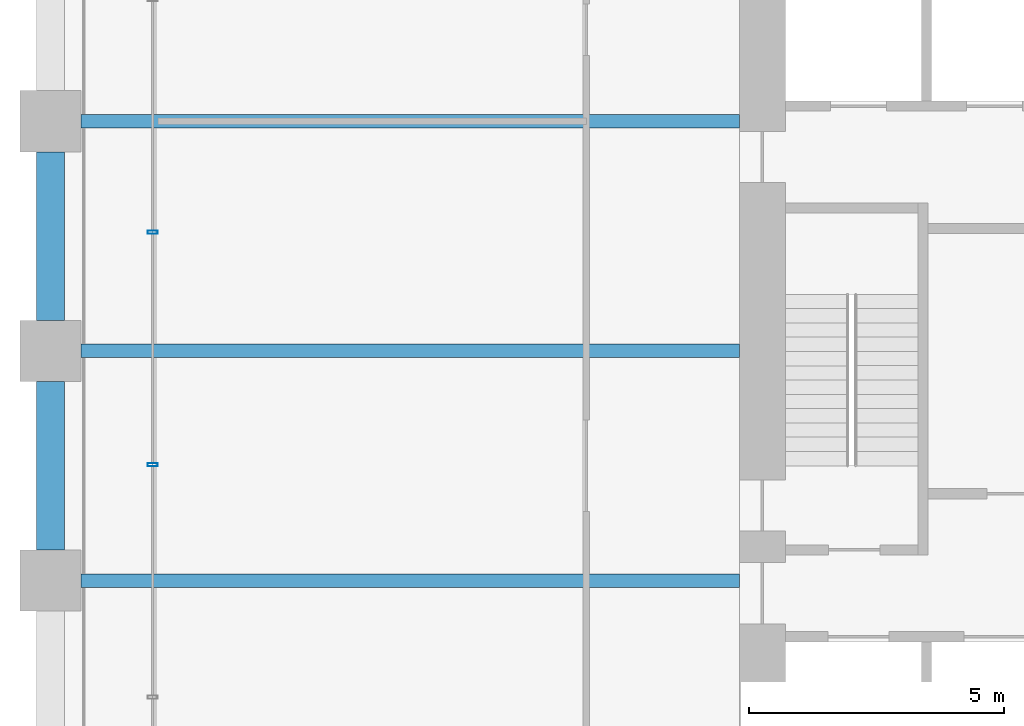
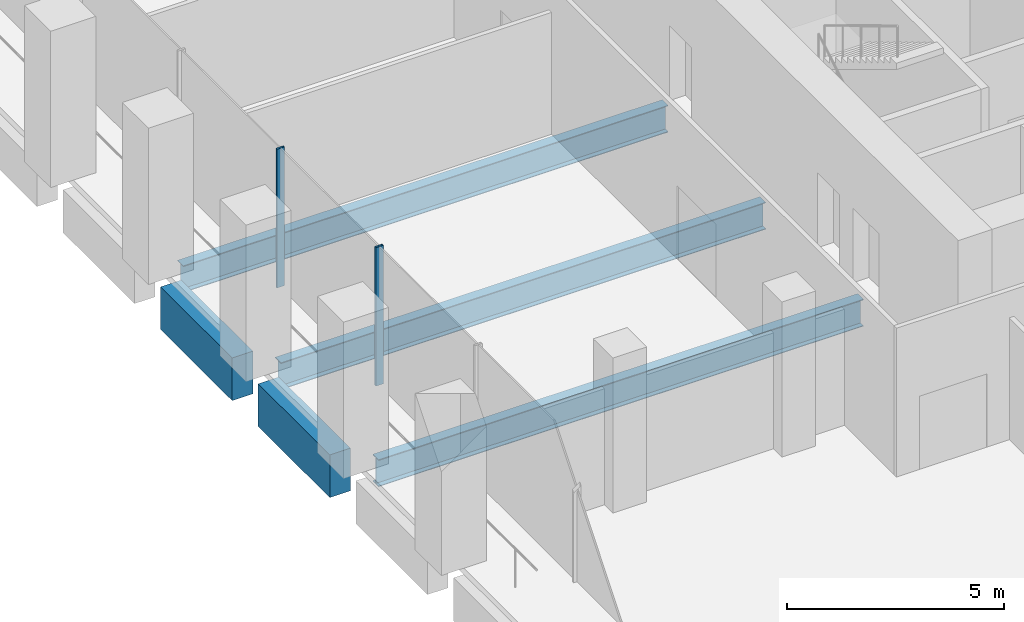
# One storey, part 7 of 36: 5 beams, 2 members, 1 element without a shape of its own.
"""IFC4 building model written with IfcOpenShell, lengths in metres."""

from ifc_helpers import new_model, si_unit, direction, frame, origin, origin_2d, place, context, subcontext, project, spatial, rectangle, hollow_rectangle, i_section, extrude, material, material_profile, profile_set, type_object, element, aggregate, save


model = new_model("IFC4")

# Units and contexts
model_context = context("Model", 3, precision=1e-05, world=origin(), true_north=direction((0.0, 1.0)))
body_context = subcontext(model_context, "Body", "Model", "MODEL_VIEW")
ifc_project = project(units=[si_unit("LENGTHUNIT", "METRE"), si_unit("AREAUNIT", "SQUARE_METRE"), si_unit("VOLUMEUNIT", "CUBIC_METRE"), si_unit("PLANEANGLEUNIT", "RADIAN"), si_unit("MASSUNIT", "GRAM", prefix="KILO")], contexts=[model_context])

# Site, building, storey
site_placement = place(None, origin())
site = spatial("IfcSite", under=ifc_project, at=site_placement, CompositionType="ELEMENT")
building_placement = place(site_placement, origin())
building = spatial("IfcBuilding", under=site, at=building_placement, Name="Altepetl Exchange Towers", CompositionType="ELEMENT")
storey_placement = place(building_placement, frame((0.0, 0.0, 29.800048828125)))
storey = spatial("IfcBuildingStorey", under=building, at=storey_placement, Name="L06", CompositionType="ELEMENT", Elevation=29.800048828125)

# Beams
ifc_material_1 = material(Name="Steel S355", Category="steel")
ifc_material_profile_1 = material_profile(ifc_material_1, i_section(OverallWidth=0.26611328125, OverallDepth=0.758056640625, WebThickness=0.013916015625, FlangeThickness=0.019287109375, at=origin_2d()), Name="W30X108")
ifc_profile_set_1 = profile_set([ifc_material_profile_1], Name="Steel S355")
beam_type_1 = type_object("IfcBeamType", Name="Floor beam W30X108", PredefinedType="BEAM", material=ifc_profile_set_1)
for number, where, z_axis, x_axis, name in (
    (1, (27.60009765625, 45.0, -0.553955078125), (1.0, 0.0, 0.0), (0.0, 1.0, 0.0), "bm:A:L06:018"),
    (2, (27.60009765625, 49.5, -0.553955078125), (1.0, 0.0, 0.0), (0.0, 1.0, 0.0), "bm:A:L06:019"),
    (3, (27.60009765625, 54.0, -0.553955078125), (1.0, 0.0, 0.0), (0.0, 1.0, 0.0), "bm:A:L06:020"),
):
    element("IfcBeam", number, at=place(storey_placement, frame(where, z_axis=z_axis, x_axis=x_axis)), inside=storey, type_object=beam_type_1, Name=name, PredefinedType="BEAM", context=body_context, shape_type="SweptSolid", body=[
        extrude(i_section(OverallWidth=0.26611328125, OverallDepth=0.758056640625, WebThickness=0.013916015625, FlangeThickness=0.019287109375, at=origin_2d()), origin(), (0.0, 0.0, 1.0), 12.89990234375),
    ])

# Curtain wall, members
ifc_material_2 = material(Name="Aluminium 6063-T6 glazing", Category="aluminium")
curtain_wall_type = type_object("IfcCurtainWallType", Name="Trading floor glazing system", PredefinedType="NOTDEFINED", material=ifc_material_2)
curtain_wall_placement = place(storey_placement, origin())
curtain_wall = element("IfcCurtainWall", 4, at=curtain_wall_placement, inside=storey, type_object=curtain_wall_type, Name="CW2 run", PredefinedType="NOTDEFINED")
ifc_material_3 = material(Name="Aluminium 6063-T6", Category="aluminium")
ifc_material_profile_2 = material_profile(ifc_material_3, hollow_rectangle(XDim=0.06005859375, YDim=0.199951171875, WallThickness=0.0029296875, at=origin_2d()), Name="Mullion 60x200 aluminium")
ifc_profile_set_2 = profile_set([ifc_material_profile_2], Name="Aluminium 6063-T6")
member_type = type_object("IfcMemberType", Name="Mullion 60x200 aluminium", PredefinedType="MULLION", material=ifc_profile_set_2)
member_1_placement = place(storey_placement, frame((29.0, 51.82861328125, 0.0), z_axis=(0.0, 0.0, 1.0), x_axis=(0.0, -1.0, 0.0)))
member_1 = element("IfcMember", 5, at=member_1_placement, type_object=member_type, Name="MU2 mullion", PredefinedType="MULLION", context=body_context, shape_type="SweptSolid", body=[
    extrude(hollow_rectangle(XDim=0.06005859375, YDim=0.199951171875, WallThickness=0.0029296875, at=origin_2d()), origin(), (0.0, 0.0, 1.0), 3.89990234375),
])
member_2_placement = place(storey_placement, frame((29.0, 47.271484375, 0.0), z_axis=(0.0, 0.0, 1.0), x_axis=(0.0, -1.0, 0.0)))
member_2 = element("IfcMember", 6, at=member_2_placement, type_object=member_type, Name="MU2 mullion", PredefinedType="MULLION", context=body_context, shape_type="SweptSolid", body=[
    extrude(hollow_rectangle(XDim=0.06005859375, YDim=0.199951171875, WallThickness=0.0029296875, at=origin_2d()), origin(), (0.0, 0.0, 1.0), 3.89990234375),
])
aggregate(curtain_wall, [member_1, member_2])

# Beams
ifc_material_4 = material(Name="Concrete C50/60 precast with tezontle facing", Category="concrete")
ifc_material_profile_3 = material_profile(ifc_material_4, rectangle(XDim=0.550048828125, YDim=1.199951171875, at=origin_2d()), Name="550 x 1200")
ifc_profile_set_3 = profile_set([ifc_material_profile_3], Name="Concrete C50/60 precast with tezontle facing")
beam_type_2 = type_object("IfcBeamType", Name="Spandrel beam 550x1200 tezontle", PredefinedType="SPANDREL", material=ifc_profile_set_3)
for number, where, z_axis, x_axis, name in (
    (7, (27.0, 53.39990234375, -0.775146484375), (0.0, -1.0, 0.0), (1.0, 0.0, 0.0), "sp:A:L06:039"),
    (8, (27.0, 48.89990234375, -0.775146484375), (0.0, -1.0, 0.0), (1.0, 0.0, 0.0), "sp:A:L06:040"),
):
    element("IfcBeam", number, at=place(storey_placement, frame(where, z_axis=z_axis, x_axis=x_axis)), inside=storey, type_object=beam_type_2, Name=name, PredefinedType="SPANDREL", context=body_context, shape_type="SweptSolid", body=[
        extrude(rectangle(XDim=0.550048828125, YDim=1.199951171875, at=origin_2d()), origin(), (0.0, 0.0, 1.0), 3.2998046875),
    ])

save(model, "model.ifc")
